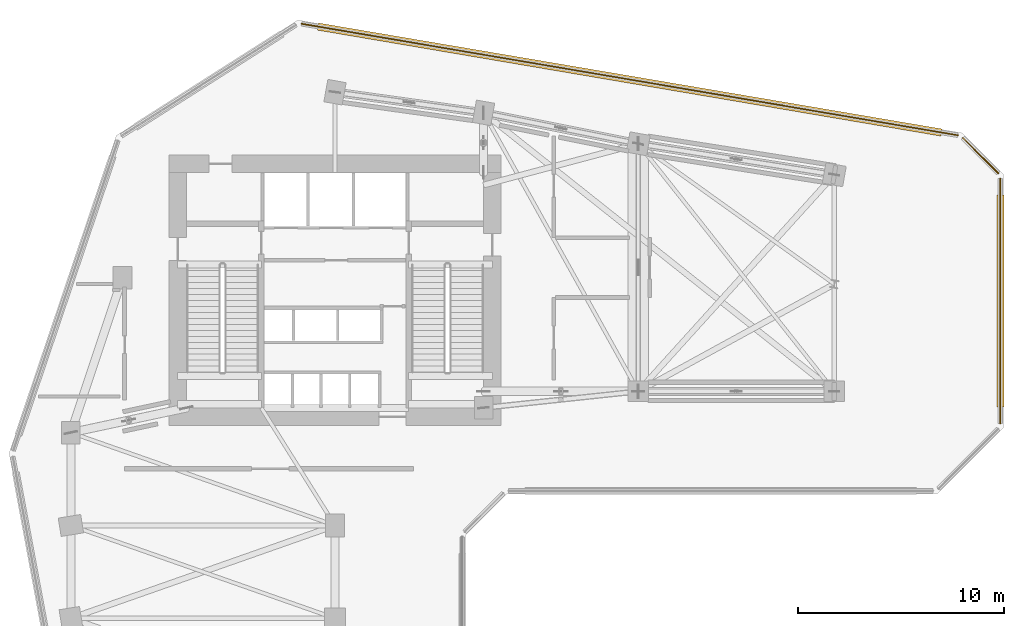
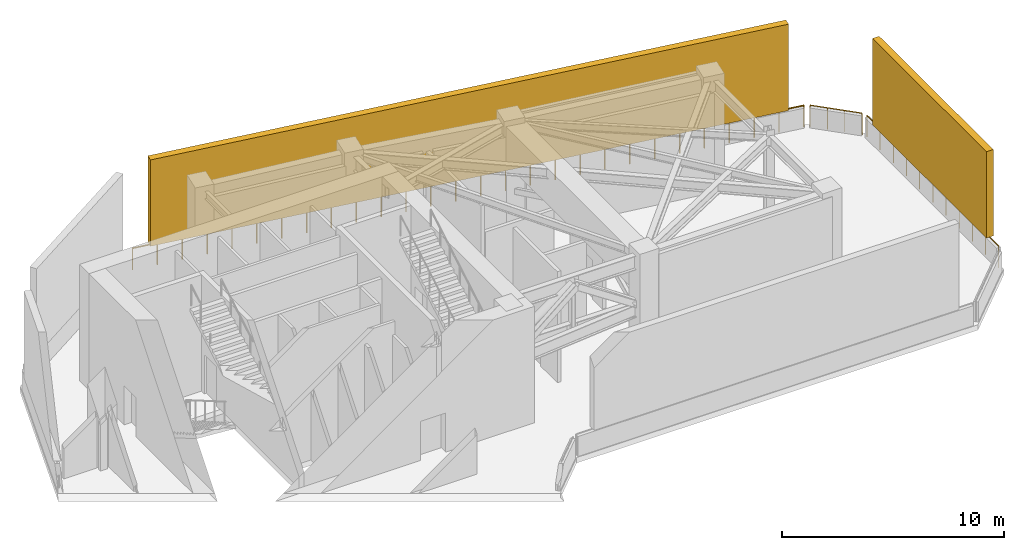
# One storey, part 10 of 10: 3 railings, 2 shading devices.
"""IFC4 building model written with IfcOpenShell, lengths in metres."""

from ifc_helpers import new_model, si_unit, direction, frame, frame_2d, origin, origin_2d, place, context, subcontext, project, spatial, rectangle, circle, extrude, material, type_object, element, save


model = new_model("IFC4")

# Units and contexts
model_context = context("Model", 3, precision=1e-05, world=origin(), true_north=direction((0.0, 1.0)))
body_context = subcontext(model_context, "Body", "Model", "MODEL_VIEW")
ifc_project = project(units=[si_unit("LENGTHUNIT", "METRE"), si_unit("AREAUNIT", "SQUARE_METRE"), si_unit("VOLUMEUNIT", "CUBIC_METRE"), si_unit("PLANEANGLEUNIT", "RADIAN"), si_unit("MASSUNIT", "GRAM", prefix="KILO")], contexts=[model_context])

# Site, building, storey
site_placement = place(None, origin())
site = spatial("IfcSite", under=ifc_project, at=site_placement, CompositionType="ELEMENT")
building_placement = place(site_placement, origin())
building = spatial("IfcBuilding", under=site, at=building_placement, Name="Calvemar Wedge Station Tower", CompositionType="ELEMENT")
storey_placement = place(building_placement, frame((0.0, 0.0, 99.0)))
storey = spatial("IfcBuildingStorey", under=building, at=storey_placement, Name="L24", CompositionType="ELEMENT", Elevation=99.0)

# Railings
ifc_material_1 = material(Name="Stainless steel AISI 316L", Category="steel")
railing_type = type_object("IfcRailingType", Name="GRD-WIND-1200", PredefinedType="GUARDRAIL", material=ifc_material_1)
railing_1_placement = place(storey_placement, frame((56.050048828125, 33.440185546875, 0.0)))
element("IfcRailing", 1, at=railing_1_placement, inside=storey, type_object=railing_type, Name="Wind Floor L24 Perimeter Safety Guard 8", PredefinedType="GUARDRAIL", context=body_context, shape_type="SweptSolid", body=[
    extrude(circle(Radius=0.02392578125, at=origin_2d()), frame((0.0, 0.0, 1.17578125), z_axis=(0.0, 1.0, 0.0), x_axis=(-1.0, 0.0, 0.0)), (0.0, 0.0, 1.0), 11.875732421875),
    extrude(circle(Radius=0.02099609375, at=origin_2d()), origin(), (0.0, 0.0, 1.0), 1.15185546875),
    extrude(circle(Radius=0.02099609375, at=origin_2d()), frame((0.0, 1.1875, 0.0)), (0.0, 0.0, 1.0), 1.15185546875),
    extrude(circle(Radius=0.02099609375, at=origin_2d()), frame((0.0, 2.375244140625, 0.0)), (0.0, 0.0, 1.0), 1.15185546875),
    extrude(circle(Radius=0.02099609375, at=origin_2d()), frame((0.0, 3.562744140625, 0.0)), (0.0, 0.0, 1.0), 1.15185546875),
    extrude(circle(Radius=0.02099609375, at=origin_2d()), frame((0.0, 4.750244140625, 0.0)), (0.0, 0.0, 1.0), 1.15185546875),
    extrude(circle(Radius=0.02099609375, at=origin_2d()), frame((0.0, 5.93798828125, 0.0)), (0.0, 0.0, 1.0), 1.15185546875),
    extrude(circle(Radius=0.02099609375, at=origin_2d()), frame((0.0, 7.12548828125, 0.0)), (0.0, 0.0, 1.0), 1.15185546875),
    extrude(circle(Radius=0.02099609375, at=origin_2d()), frame((0.0, 8.31298828125, 0.0)), (0.0, 0.0, 1.0), 1.15185546875),
    extrude(circle(Radius=0.02099609375, at=origin_2d()), frame((0.0, 9.50048828125, 0.0)), (0.0, 0.0, 1.0), 1.15185546875),
    extrude(circle(Radius=0.02099609375, at=origin_2d()), frame((0.0, 10.688232421875, 0.0)), (0.0, 0.0, 1.0), 1.15185546875),
    extrude(circle(Radius=0.02099609375, at=origin_2d()), frame((0.0, 11.875732421875, 0.0)), (0.0, 0.0, 1.0), 1.15185546875),
])
railing_2_placement = place(storey_placement, frame((55.94384765625, 45.572021484375, 0.0)))
element("IfcRailing", 2, at=railing_2_placement, inside=storey, type_object=railing_type, Name="Wind Floor L24 Perimeter Safety Guard 9", PredefinedType="GUARDRAIL", context=body_context, shape_type="SweptSolid", body=[
    extrude(circle(Radius=0.02392578125, at=origin_2d()), frame((0.0, 0.0, 1.17578125), z_axis=(-0.707106781187, 0.707106781187, 0.0), x_axis=(-0.707106781187, -0.707106781187, 0.0)), (0.0, 0.0, 1.0), 2.418212890625),
    extrude(circle(Radius=0.02099609375, at=origin_2d()), origin(), (0.0, 0.0, 1.0), 1.15185546875),
    extrude(circle(Radius=0.02099609375, at=origin_2d()), frame((-0.570068359375, 0.570068359375, 0.0)), (0.0, 0.0, 1.0), 1.15185546875),
    extrude(circle(Radius=0.02099609375, at=origin_2d()), frame((-1.139892578125, 1.139892578125, 0.0)), (0.0, 0.0, 1.0), 1.15185546875),
    extrude(circle(Radius=0.02099609375, at=origin_2d()), frame((-1.7099609375, 1.7099609375, 0.0)), (0.0, 0.0, 1.0), 1.15185546875),
])
railing_3_placement = place(storey_placement, frame((53.97998046875, 47.413330078125, 0.0)))
element("IfcRailing", 3, at=railing_3_placement, inside=storey, type_object=railing_type, Name="Wind Floor L24 Perimeter Safety Guard 10", PredefinedType="GUARDRAIL", context=body_context, shape_type="SweptSolid", body=[
    extrude(circle(Radius=0.02392578125, at=origin_2d()), frame((0.0, 0.0, 1.17578125), z_axis=(-0.985866074369, 0.167535319884, 0.0), x_axis=(-0.167535319884, -0.985866074369, 0.0)), (0.0, 0.0, 1.0), 32.256103515625),
    extrude(circle(Radius=0.02099609375, at=origin_2d()), origin(), (0.0, 0.0, 1.0), 1.15185546875),
    extrude(circle(Radius=0.02099609375, at=origin_2d()), frame((-1.177734375, 0.2001953125, 0.0)), (0.0, 0.0, 1.0), 1.15185546875),
    extrude(circle(Radius=0.02099609375, at=origin_2d()), frame((-2.35546875, 0.400390625, 0.0)), (0.0, 0.0, 1.0), 1.15185546875),
    extrude(circle(Radius=0.02099609375, at=origin_2d()), frame((-3.533447265625, 0.600341796875, 0.0)), (0.0, 0.0, 1.0), 1.15185546875),
    extrude(circle(Radius=0.02099609375, at=origin_2d()), frame((-4.711181640625, 0.800537109375, 0.0)), (0.0, 0.0, 1.0), 1.15185546875),
    extrude(circle(Radius=0.02099609375, at=origin_2d()), frame((-5.888916015625, 1.000732421875, 0.0)), (0.0, 0.0, 1.0), 1.15185546875),
    extrude(circle(Radius=0.02099609375, at=origin_2d()), frame((-7.066650390625, 1.200927734375, 0.0)), (0.0, 0.0, 1.0), 1.15185546875),
    extrude(circle(Radius=0.02099609375, at=origin_2d()), frame((-8.24462890625, 1.401123046875, 0.0)), (0.0, 0.0, 1.0), 1.15185546875),
    extrude(circle(Radius=0.02099609375, at=origin_2d()), frame((-9.42236328125, 1.601318359375, 0.0)), (0.0, 0.0, 1.0), 1.15185546875),
    extrude(circle(Radius=0.02099609375, at=origin_2d()), frame((-10.60009765625, 1.80126953125, 0.0)), (0.0, 0.0, 1.0), 1.15185546875),
    extrude(circle(Radius=0.02099609375, at=origin_2d()), frame((-11.77783203125, 2.00146484375, 0.0)), (0.0, 0.0, 1.0), 1.15185546875),
    extrude(circle(Radius=0.02099609375, at=origin_2d()), frame((-12.95556640625, 2.20166015625, 0.0)), (0.0, 0.0, 1.0), 1.15185546875),
    extrude(circle(Radius=0.02099609375, at=origin_2d()), frame((-14.133544921875, 2.40185546875, 0.0)), (0.0, 0.0, 1.0), 1.15185546875),
    extrude(circle(Radius=0.02099609375, at=origin_2d()), frame((-15.311279296875, 2.60205078125, 0.0)), (0.0, 0.0, 1.0), 1.15185546875),
    extrude(circle(Radius=0.02099609375, at=origin_2d()), frame((-16.489013671875, 2.802001953125, 0.0)), (0.0, 0.0, 1.0), 1.15185546875),
    extrude(circle(Radius=0.02099609375, at=origin_2d()), frame((-17.666748046875, 3.002197265625, 0.0)), (0.0, 0.0, 1.0), 1.15185546875),
    extrude(circle(Radius=0.02099609375, at=origin_2d()), frame((-18.8447265625, 3.202392578125, 0.0)), (0.0, 0.0, 1.0), 1.15185546875),
    extrude(circle(Radius=0.02099609375, at=origin_2d()), frame((-20.0224609375, 3.402587890625, 0.0)), (0.0, 0.0, 1.0), 1.15185546875),
    extrude(circle(Radius=0.02099609375, at=origin_2d()), frame((-21.2001953125, 3.602783203125, 0.0)), (0.0, 0.0, 1.0), 1.15185546875),
    extrude(circle(Radius=0.02099609375, at=origin_2d()), frame((-22.3779296875, 3.802734375, 0.0)), (0.0, 0.0, 1.0), 1.15185546875),
    extrude(circle(Radius=0.02099609375, at=origin_2d()), frame((-23.5556640625, 4.0029296875, 0.0)), (0.0, 0.0, 1.0), 1.15185546875),
    extrude(circle(Radius=0.02099609375, at=origin_2d()), frame((-24.733642578125, 4.203125, 0.0)), (0.0, 0.0, 1.0), 1.15185546875),
    extrude(circle(Radius=0.02099609375, at=origin_2d()), frame((-25.911376953125, 4.4033203125, 0.0)), (0.0, 0.0, 1.0), 1.15185546875),
    extrude(circle(Radius=0.02099609375, at=origin_2d()), frame((-27.089111328125, 4.603515625, 0.0)), (0.0, 0.0, 1.0), 1.15185546875),
    extrude(circle(Radius=0.02099609375, at=origin_2d()), frame((-28.266845703125, 4.8037109375, 0.0)), (0.0, 0.0, 1.0), 1.15185546875),
    extrude(circle(Radius=0.02099609375, at=origin_2d()), frame((-29.44482421875, 5.003662109375, 0.0)), (0.0, 0.0, 1.0), 1.15185546875),
    extrude(circle(Radius=0.02099609375, at=origin_2d()), frame((-30.62255859375, 5.203857421875, 0.0)), (0.0, 0.0, 1.0), 1.15185546875),
    extrude(circle(Radius=0.02099609375, at=origin_2d()), frame((-31.80029296875, 5.404052734375, 0.0)), (0.0, 0.0, 1.0), 1.15185546875),
])

# Shading devices
ifc_material_2 = material(Name="Anodised aluminium 6063-T6", Category="aluminium")
shading_device_type = type_object("IfcShadingDeviceType", Name="SHD-LOUVRE-1", PredefinedType="JALOUSIE", material=ifc_material_2)
shading_device_1_placement = place(storey_placement, frame((56.050048828125, 34.239990234375, 1.199951171875), z_axis=(0.0, 0.0, 1.0), x_axis=(0.0, 1.0, 0.0)))
element("IfcShadingDevice", 4, at=shading_device_1_placement, inside=storey, type_object=shading_device_type, Name="Wind Floor L24 Jalousie Intake Louvre 8", PredefinedType="JALOUSIE", context=body_context, shape_type="SweptSolid", body=[
    extrude(rectangle(XDim=10.27587890625, YDim=0.35009765625, at=frame_2d((5.137939453125, 0.0))), origin(), (0.0, 0.0, 1.0), 4.75),
])
shading_device_2_placement = place(storey_placement, frame((53.191162109375, 47.54736328125, 1.199951171875), z_axis=(0.0, 0.0, 1.0), x_axis=(-0.985865897866, 0.167536358516, 0.0)))
element("IfcShadingDevice", 5, at=shading_device_2_placement, inside=storey, type_object=shading_device_type, Name="Wind Floor L24 Jalousie Intake Louvre 10", PredefinedType="JALOUSIE", context=body_context, shape_type="SweptSolid", body=[
    extrude(rectangle(XDim=30.656005859375, YDim=0.35009765625, at=frame_2d((15.328125, 0.0))), origin(), (0.0, 0.0, 1.0), 4.75),
])

save(model, "model.ifc")
